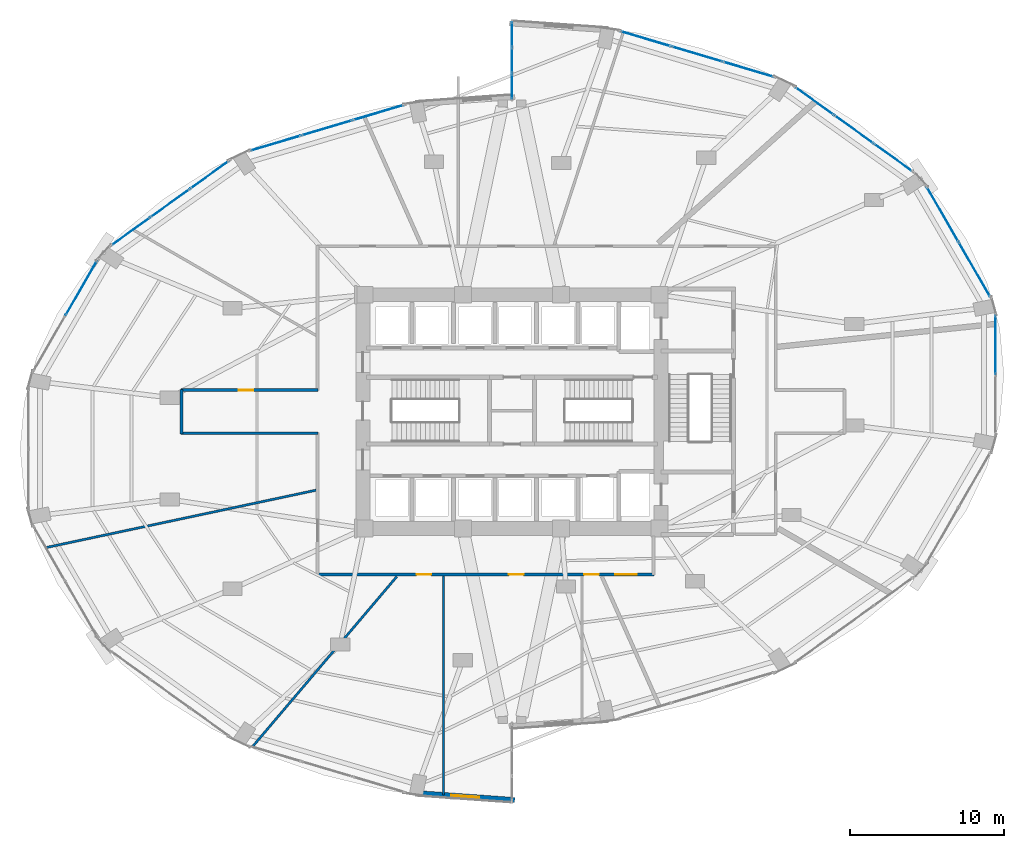
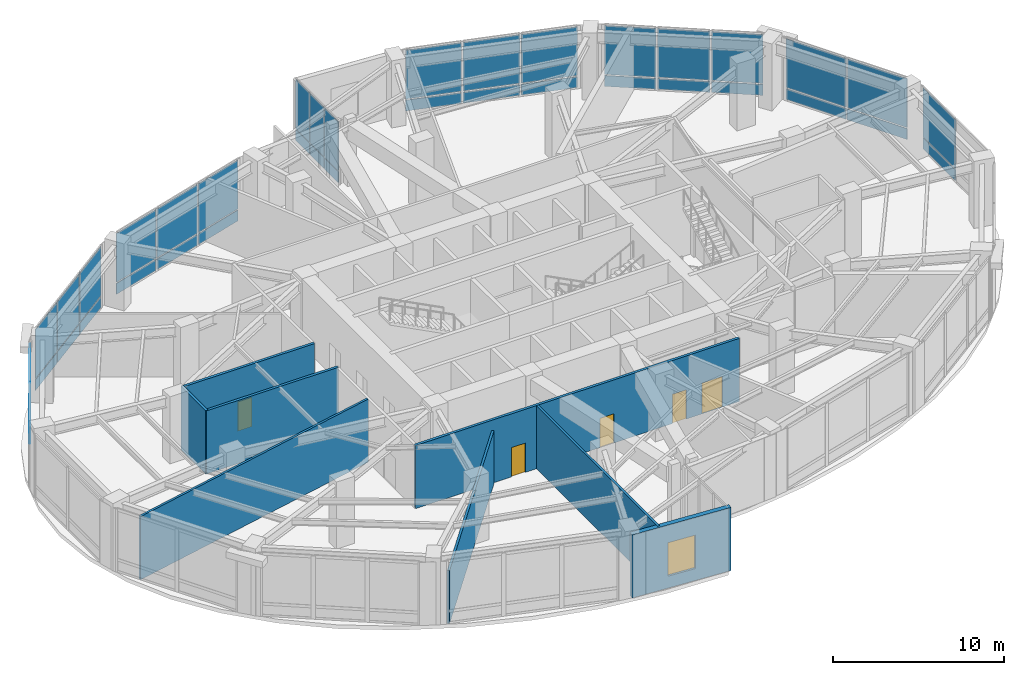
# One storey, part 20 of 24: 38 plates, 8 walls, 5 doors, 1 window, 6 openings, 8 elements without a shape of their own.
"""IFC4 building model written with IfcOpenShell, lengths in metres."""

import ifcopenshell
import ifcopenshell.guid

model = None  # the IFC model being written
_history = None  # IfcOwnerHistory: only IFC2X3 demands one
_inside = {}  # id of a spatial element -> (the spatial element, [elements in it])
_under = {}  # id of a project, library or spatial element -> (it, [spatial elements below it])
_declared = {}  # id of a project -> (the project, [libraries it declares])
_typed = {}  # id of a type object -> (the type object, [elements of that type])
_made_of = {}  # id of a material, layer set ... -> (it, [elements and type objects made of it])


def new_model(schema):
    """Start an empty IFC model of exactly this schema.

    Asked for "IFC4X3", IfcOpenShell would pick the latest addendum, in which some entities
    have other attributes; the version numbers below select the first issue.
    IFC2X3 requires an IfcOwnerHistory on every rooted entity: one is made here for all.
    """
    global model, _history
    if schema == "IFC4X3":
        model = ifcopenshell.file(schema_version=(4, 3, 0, 0))
    else:
        model = ifcopenshell.file(schema=schema)
    _inside.clear()
    _under.clear()
    _declared.clear()
    _typed.clear()
    _made_of.clear()
    _history = None
    if model.schema == "IFC2X3":
        org = make("IfcOrganization", Name="unknown")
        user = make(
            "IfcPersonAndOrganization",
            ThePerson=make("IfcPerson", FamilyName="unknown"),
            TheOrganization=org,
        )
        app = make(
            "IfcApplication",
            ApplicationDeveloper=org,
            Version="unknown",
            ApplicationFullName="unknown",
            ApplicationIdentifier="unknown",
        )
        _history = make(
            "IfcOwnerHistory",
            OwningUser=user,
            OwningApplication=app,
            ChangeAction="ADDED",
            CreationDate=0,
        )
    return model


def make(cls, **values):
    """One entity of the class cls with the attributes given. An attribute that is None is left unset."""
    return model.create_entity(
        cls, **{name: value for name, value in values.items() if value is not None}
    )


def rooted(cls, **values):
    """An entity with a GlobalId (a new one), such as an element, a storey or a relation."""
    return make(cls, GlobalId=ifcopenshell.guid.new(), OwnerHistory=_history, **values)


def si_unit(unit_type, name, prefix=None):
    """IfcSIUnit, for example si_unit("LENGTHUNIT", "METRE", prefix="MILLI")."""
    return make("IfcSIUnit", UnitType=unit_type, Prefix=prefix, Name=name)


def assignment(units):
    """IfcUnitAssignment: the units of a project."""
    return None if units is None else make("IfcUnitAssignment", Units=units)


def point(xyz):
    """IfcCartesianPoint."""
    return None if xyz is None else make("IfcCartesianPoint", Coordinates=xyz)


def direction(xyz):
    """IfcDirection."""
    return None if xyz is None else make("IfcDirection", DirectionRatios=xyz)


def frame(location, z_axis=None, x_axis=None):
    """IfcAxis2Placement3D, a coordinate frame: its origin and axes. An axis left out is left unset."""
    return make(
        "IfcAxis2Placement3D",
        Location=point(location),
        Axis=direction(z_axis),
        RefDirection=direction(x_axis),
    )


def frame_2d(location, x_axis=None):
    """IfcAxis2Placement2D, a coordinate frame in the plane: its origin and x axis."""
    return make(
        "IfcAxis2Placement2D", Location=point(location), RefDirection=direction(x_axis)
    )


def origin():
    """The frame at (0, 0, 0) with its axes left unset."""
    return frame((0.0, 0.0, 0.0))


def origin_2d():
    """The frame at (0, 0) in the plane with its x axis left unset."""
    return frame_2d((0.0, 0.0))


def place(relative_to, where):
    """IfcLocalPlacement: puts the frame where relative to a parent placement (None: the world)."""
    return make(
        "IfcLocalPlacement", PlacementRelTo=relative_to, RelativePlacement=where
    )


def context(
    kind, dimensions, precision=None, world=None, true_north=None, identifier=None
):
    """IfcGeometricRepresentationContext, for example the 3D "Model" context."""
    return make(
        "IfcGeometricRepresentationContext",
        ContextIdentifier=identifier,
        ContextType=kind,
        CoordinateSpaceDimension=dimensions,
        Precision=precision,
        WorldCoordinateSystem=world,
        TrueNorth=true_north,
    )


def subcontext(parent, identifier, kind, view, scale=None):
    """IfcGeometricRepresentationSubContext, for example "Body" below "Model"."""
    return make(
        "IfcGeometricRepresentationSubContext",
        ContextIdentifier=identifier,
        ContextType=kind,
        ParentContext=parent,
        TargetScale=scale,
        TargetView=view,
    )


def project(units=None, contexts=None):
    """IfcProject with its units and contexts."""
    return rooted(
        "IfcProject",
        Name="project",
        RepresentationContexts=contexts,
        UnitsInContext=assignment(units),
    )


def spatial(cls, under=None, at=None, **own):
    """A site, building, storey or space (cls), placed at a placement, below another one or the project."""
    s = rooted(cls, ObjectPlacement=at, **own)
    if under is not None:
        _under.setdefault(under.id(), (under, []))[1].append(s)
    return s


def profile(cls, at=None, kind="AREA", **sizes):
    """A parametric profile (cls). Its sizes go by their IFC names, for example OverallWidth=200.0."""
    return make(cls, ProfileType=kind, Position=at, **sizes)


def rectangle(**sizes):
    """IfcRectangleProfileDef."""
    return profile("IfcRectangleProfileDef", **sizes)


def extrude(swept, where, along, depth):
    """IfcExtrudedAreaSolid: the profile swept, set in the frame where, extruded along a direction by depth."""
    return make(
        "IfcExtrudedAreaSolid",
        SweptArea=swept,
        Position=where,
        ExtrudedDirection=direction(along),
        Depth=depth,
    )


def shape(context_of_items, identifier, shape_type, items):
    """IfcShapeRepresentation: the items that make up one representation, for example the "Body"."""
    return make(
        "IfcShapeRepresentation",
        ContextOfItems=context_of_items,
        RepresentationIdentifier=identifier,
        RepresentationType=shape_type,
        Items=items,
    )


def material(Name=None, Category=None):
    """IfcMaterial."""
    return make("IfcMaterial", Name=Name, Category=Category)


def layer(
    of_material, thickness, ventilated=None, Name=None, Category=None, Priority=None
):
    """IfcMaterialLayer: one layer of a wall or slab, of a material (None: an air gap)."""
    return make(
        "IfcMaterialLayer",
        Material=of_material,
        LayerThickness=thickness,
        IsVentilated=ventilated,
        Name=Name,
        Category=Category,
        Priority=Priority,
    )


def layer_set(layers, Name=None):
    """IfcMaterialLayerSet."""
    return make("IfcMaterialLayerSet", MaterialLayers=layers, LayerSetName=Name)


def made_of(thing, what):
    """Note that an element or type object is made of a material, layer set ...; save() writes the relation."""
    if what is not None:
        _made_of.setdefault(what.id(), (what, []))[1].append(thing)
    return thing


def type_object(cls, material=None, **own):
    """A type object (cls), such as IfcWallType, which elements share."""
    return made_of(rooted(cls, **own), material)


def element(
    cls,
    number,
    at=None,
    inside=None,
    cuts=None,
    type_object=None,
    material=None,
    context=None,
    identifier="Body",
    shape_type=None,
    held_by="IfcProductDefinitionShape",
    body=None,
    shapes=None,
    **own,
):
    """One element of the class cls, such as IfcWall. Its Tag is "e" and its number.

    at: its placement. inside: the storey or other place that contains it. cuts: it is an
    opening in that element (IfcRelVoidsElement). A single representation is given by context,
    identifier, shape_type and body (its items); several are given by shapes. held_by: the class
    of the entity that holds the representations. save() writes the other relations.
    """
    e = rooted(cls, Tag="e%d" % number, ObjectPlacement=at, **own)
    if body is not None:
        shapes = [shape(context, identifier, shape_type, body)]
    if shapes is not None:
        e.Representation = make(held_by, Representations=shapes)
    if inside is not None:
        _inside.setdefault(inside.id(), (inside, []))[1].append(e)
    if cuts is not None:
        rooted(
            "IfcRelVoidsElement", RelatingBuildingElement=cuts, RelatedOpeningElement=e
        )
    if type_object is not None:
        _typed.setdefault(type_object.id(), (type_object, []))[1].append(e)
    return made_of(e, material)


def fill(opening, filler):
    """IfcRelFillsElement: the door or window that sits in an opening."""
    return rooted(
        "IfcRelFillsElement",
        RelatingOpeningElement=opening,
        RelatedBuildingElement=filler,
    )


def aggregate(whole, parts):
    """IfcRelAggregates: a whole, such as a stair, and the parts it consists of."""
    return rooted("IfcRelAggregates", RelatingObject=whole, RelatedObjects=parts)


def save(model, path):
    """Write the relations noted so far, then the file.

    IfcRelAggregates (storeys below a building ...), IfcRelContainedInSpatialStructure (elements
    in a storey), IfcRelDefinesByType, IfcRelAssociatesMaterial and IfcRelDeclares: one each for
    every whole, place, type object, material and project.
    """
    for whole, parts in _under.values():
        aggregate(whole, parts)
    for where, things in _inside.values():
        rooted(
            "IfcRelContainedInSpatialStructure",
            RelatedElements=things,
            RelatingStructure=where,
        )
    for kind, things in _typed.values():
        rooted("IfcRelDefinesByType", RelatedObjects=things, RelatingType=kind)
    for what, things in _made_of.values():
        rooted("IfcRelAssociatesMaterial", RelatedObjects=things, RelatingMaterial=what)
    for by, libraries in _declared.values():
        rooted("IfcRelDeclares", RelatingContext=by, RelatedDefinitions=libraries)
    model.write(path)


model = new_model("IFC4")

# Units and contexts
model_context = context("Model", 3, precision=1e-05, world=origin(), true_north=direction((0.0, 1.0)))
body_context = subcontext(model_context, "Body", "Model", "MODEL_VIEW")
ifc_project = project(units=[si_unit("LENGTHUNIT", "METRE"), si_unit("AREAUNIT", "SQUARE_METRE"), si_unit("VOLUMEUNIT", "CUBIC_METRE"), si_unit("PLANEANGLEUNIT", "RADIAN"), si_unit("MASSUNIT", "GRAM", prefix="KILO")], contexts=[model_context])

# Site, building, storey
site_placement = place(None, origin())
site = spatial("IfcSite", under=ifc_project, at=site_placement, CompositionType="ELEMENT")
building_placement = place(site_placement, origin())
building = spatial("IfcBuilding", under=site, at=building_placement, Name="Lazwardi Medical Tower", CompositionType="ELEMENT")
storey_placement = place(building_placement, frame((0.0, 0.0, 6.0)))
storey = spatial("IfcBuildingStorey", under=building, at=storey_placement, Name="L01", CompositionType="ELEMENT", Elevation=6.0)

# Curtain wall, plate
ifc_material_1 = material(Name="Anodised bronze aluminium and solar control glazing", Category="aluminium")
ifc_layer_1 = layer(ifc_material_1, 0.219970703125)
ifc_layer_set_1 = layer_set([ifc_layer_1], Name="Anodised bronze aluminium and solar control glazing")
curtain_wall_type_1 = type_object("IfcCurtainWallType", Name="CW-SYS-01", PredefinedType="NOTDEFINED", material=ifc_layer_set_1)
curtain_wall_1_placement = place(storey_placement, origin())
curtain_wall_1 = element("IfcCurtainWall", 1, at=curtain_wall_1_placement, inside=storey, type_object=curtain_wall_type_1, Name="L01 Unitised bronze curtain wall CW-01", PredefinedType="NOTDEFINED")
ifc_material_2 = material(Name="Bronze girih ceramic-frit spandrel glazing", Category="glass")
ifc_layer_2 = layer(ifc_material_2, 0.048095703125)
ifc_layer_set_2 = layer_set([ifc_layer_2], Name="Bronze girih ceramic-frit spandrel glazing")
plate_type_1 = type_object("IfcPlateType", Name="PLT-FRT-01", PredefinedType="CURTAIN_PANEL", material=ifc_layer_set_2)
plate_1_placement = place(storey_placement, frame((67.439697265625, 32.33837890625, 0.0849609375), z_axis=(0.0, 0.0, 1.0), x_axis=(0.0, 1.0, 0.0)))
plate_1 = element("IfcPlate", 2, at=plate_1_placement, type_object=plate_type_1, Name="CW-01 panel 2.1", PredefinedType="CURTAIN_PANEL", context=body_context, shape_type="SweptSolid", body=[
    extrude(rectangle(XDim=3.791748046875, YDim=0.048095703125, at=origin_2d()), origin(), (0.0, 0.0, 1.0), 0.7724609375),
])

# Curtain wall, plates
curtain_wall_2_placement = place(storey_placement, origin())
curtain_wall_2 = element("IfcCurtainWall", 3, at=curtain_wall_2_placement, inside=storey, type_object=curtain_wall_type_1, Name="L01 Unitised bronze curtain wall CW-01", PredefinedType="NOTDEFINED")
plate_2_placement = place(storey_placement, frame((66.080322265625, 37.24609375, 0.0849609375), z_axis=(0.0, 0.0, 1.0), x_axis=(-0.499731082384, 0.866180607783, 0.0)))
plate_2 = element("IfcPlate", 4, at=plate_2_placement, type_object=plate_type_1, Name="CW-01 panel 1.1", PredefinedType="CURTAIN_PANEL", context=body_context, shape_type="SweptSolid", body=[
    extrude(rectangle(XDim=4.052734375, YDim=0.048095703125, at=origin_2d()), origin(), (0.0, 0.0, 1.0), 0.7724609375),
])
plate_3_placement = place(storey_placement, frame((64.012451171875, 40.830078125, 0.0849609375), z_axis=(0.0, 0.0, 1.0), x_axis=(-0.499731082384, 0.866180607783, 0.0)))
plate_3 = element("IfcPlate", 5, at=plate_3_placement, type_object=plate_type_1, Name="CW-01 panel 2.1", PredefinedType="CURTAIN_PANEL", context=body_context, shape_type="SweptSolid", body=[
    extrude(rectangle(XDim=4.052734375, YDim=0.048095703125, at=origin_2d()), origin(), (0.0, 0.0, 1.0), 0.7724609375),
])

curtain_wall_3_placement = place(storey_placement, origin())
curtain_wall_3 = element("IfcCurtainWall", 6, at=curtain_wall_3_placement, inside=storey, type_object=curtain_wall_type_1, Name="L01 Unitised bronze curtain wall CW-01", PredefinedType="NOTDEFINED")
plate_4_placement = place(storey_placement, frame((60.787109375, 44.52587890625, 0.0849609375), z_axis=(0.0, 0.0, 1.0), x_axis=(-0.812318365083, 0.583214260584, 0.0)))
plate_4 = element("IfcPlate", 7, at=plate_4_placement, type_object=plate_type_1, Name="CW-01 panel 1.1", PredefinedType="CURTAIN_PANEL", context=body_context, shape_type="SweptSolid", body=[
    extrude(rectangle(XDim=3.040283203125, YDim=0.048095703125, at=origin_2d()), origin(), (0.0, 0.0, 1.0), 0.7724609375),
])
plate_5_placement = place(storey_placement, frame((58.231201171875, 46.361083984375, 0.0849609375), z_axis=(0.0, 0.0, 1.0), x_axis=(-0.812318365083, 0.583214260584, 0.0)))
plate_5 = element("IfcPlate", 8, at=plate_5_placement, type_object=plate_type_1, Name="CW-01 panel 2.1", PredefinedType="CURTAIN_PANEL", context=body_context, shape_type="SweptSolid", body=[
    extrude(rectangle(XDim=3.082763671875, YDim=0.048095703125, at=origin_2d()), origin(), (0.0, 0.0, 1.0), 0.7724609375),
])
plate_6_placement = place(storey_placement, frame((55.675048828125, 48.196044921875, 0.0849609375), z_axis=(0.0, 0.0, 1.0), x_axis=(-0.812318365083, 0.583214260584, 0.0)))
plate_6 = element("IfcPlate", 9, at=plate_6_placement, type_object=plate_type_1, Name="CW-01 panel 3.1", PredefinedType="CURTAIN_PANEL", context=body_context, shape_type="SweptSolid", body=[
    extrude(rectangle(XDim=3.040283203125, YDim=0.048095703125, at=origin_2d()), origin(), (0.0, 0.0, 1.0), 0.7724609375),
])

curtain_wall_4_placement = place(storey_placement, origin())
curtain_wall_4 = element("IfcCurtainWall", 10, at=curtain_wall_4_placement, inside=storey, type_object=curtain_wall_type_1, Name="L01 Unitised bronze curtain wall CW-01", PredefinedType="NOTDEFINED")
plate_7_placement = place(storey_placement, frame((51.373291015625, 50.26025390625, 0.0849609375), z_axis=(0.0, 0.0, 1.0), x_axis=(-0.958513482597, 0.285047195531, 0.0)))
plate_7 = element("IfcPlate", 11, at=plate_7_placement, type_object=plate_type_1, Name="CW-01 panel 1.1", PredefinedType="CURTAIN_PANEL", context=body_context, shape_type="SweptSolid", body=[
    extrude(rectangle(XDim=3.380126953125, YDim=0.048095703125, at=origin_2d()), origin(), (0.0, 0.0, 1.0), 0.7724609375),
])
plate_8_placement = place(storey_placement, frame((48.031494140625, 51.254150390625, 0.0849609375), z_axis=(0.0, 0.0, 1.0), x_axis=(-0.958513482597, 0.285047195531, 0.0)))
plate_8 = element("IfcPlate", 12, at=plate_8_placement, type_object=plate_type_1, Name="CW-01 panel 2.1", PredefinedType="CURTAIN_PANEL", context=body_context, shape_type="SweptSolid", body=[
    extrude(rectangle(XDim=3.422607421875, YDim=0.048095703125, at=origin_2d()), origin(), (0.0, 0.0, 1.0), 0.7724609375),
])
plate_9_placement = place(storey_placement, frame((44.689453125, 52.247802734375, 0.0849609375), z_axis=(0.0, 0.0, 1.0), x_axis=(-0.958513482597, 0.285047195531, 0.0)))
plate_9 = element("IfcPlate", 13, at=plate_9_placement, type_object=plate_type_1, Name="CW-01 panel 3.1", PredefinedType="CURTAIN_PANEL", context=body_context, shape_type="SweptSolid", body=[
    extrude(rectangle(XDim=3.380126953125, YDim=0.048095703125, at=origin_2d()), origin(), (0.0, 0.0, 1.0), 0.7724609375),
])

curtain_wall_5_placement = place(storey_placement, origin())
curtain_wall_5 = element("IfcCurtainWall", 14, at=curtain_wall_5_placement, inside=storey, type_object=curtain_wall_type_1, Name="L01 Unitised bronze curtain wall CW-01", PredefinedType="NOTDEFINED")
plate_10_placement = place(storey_placement, frame((27.310546875, 47.447998046875, 0.0849609375), z_axis=(0.0, 0.0, 1.0), x_axis=(-0.958513482597, -0.285047195531, 0.0)))
plate_10 = element("IfcPlate", 15, at=plate_10_placement, type_object=plate_type_1, Name="CW-01 panel 1.1", PredefinedType="CURTAIN_PANEL", context=body_context, shape_type="SweptSolid", body=[
    extrude(rectangle(XDim=3.380126953125, YDim=0.048095703125, at=origin_2d()), origin(), (0.0, 0.0, 1.0), 0.7724609375),
])
plate_11_placement = place(storey_placement, frame((23.968505859375, 46.4541015625, 0.0849609375), z_axis=(0.0, 0.0, 1.0), x_axis=(-0.958513482597, -0.285047195531, 0.0)))
plate_11 = element("IfcPlate", 16, at=plate_11_placement, type_object=plate_type_1, Name="CW-01 panel 2.1", PredefinedType="CURTAIN_PANEL", context=body_context, shape_type="SweptSolid", body=[
    extrude(rectangle(XDim=3.422607421875, YDim=0.048095703125, at=origin_2d()), origin(), (0.0, 0.0, 1.0), 0.7724609375),
])
plate_12_placement = place(storey_placement, frame((20.626708984375, 45.460205078125, 0.0849609375), z_axis=(0.0, 0.0, 1.0), x_axis=(-0.958513482597, -0.285047195531, 0.0)))
plate_12 = element("IfcPlate", 17, at=plate_12_placement, type_object=plate_type_1, Name="CW-01 panel 3.1", PredefinedType="CURTAIN_PANEL", context=body_context, shape_type="SweptSolid", body=[
    extrude(rectangle(XDim=3.380126953125, YDim=0.048095703125, at=origin_2d()), origin(), (0.0, 0.0, 1.0), 0.7724609375),
])

curtain_wall_6_placement = place(storey_placement, origin())
curtain_wall_6 = element("IfcCurtainWall", 18, at=curtain_wall_6_placement, inside=storey, type_object=curtain_wall_type_1, Name="L01 Unitised bronze curtain wall CW-01", PredefinedType="NOTDEFINED")
plate_13_placement = place(storey_placement, frame((16.324951171875, 43.396240234375, 0.0849609375), z_axis=(0.0, 0.0, 1.0), x_axis=(-0.812318365083, -0.583214260584, 0.0)))
plate_13 = element("IfcPlate", 19, at=plate_13_placement, type_object=plate_type_1, Name="CW-01 panel 1.1", PredefinedType="CURTAIN_PANEL", context=body_context, shape_type="SweptSolid", body=[
    extrude(rectangle(XDim=3.040283203125, YDim=0.048095703125, at=origin_2d()), origin(), (0.0, 0.0, 1.0), 0.7724609375),
])
plate_14_placement = place(storey_placement, frame((13.768798828125, 41.56103515625, 0.0849609375), z_axis=(0.0, 0.0, 1.0), x_axis=(-0.812318365083, -0.583214260584, 0.0)))
plate_14 = element("IfcPlate", 20, at=plate_14_placement, type_object=plate_type_1, Name="CW-01 panel 2.1", PredefinedType="CURTAIN_PANEL", context=body_context, shape_type="SweptSolid", body=[
    extrude(rectangle(XDim=3.082763671875, YDim=0.048095703125, at=origin_2d()), origin(), (0.0, 0.0, 1.0), 0.7724609375),
])
plate_15_placement = place(storey_placement, frame((11.212890625, 39.725830078125, 0.0849609375), z_axis=(0.0, 0.0, 1.0), x_axis=(-0.812318365083, -0.583214260584, 0.0)))
plate_15 = element("IfcPlate", 21, at=plate_15_placement, type_object=plate_type_1, Name="CW-01 panel 3.1", PredefinedType="CURTAIN_PANEL", context=body_context, shape_type="SweptSolid", body=[
    extrude(rectangle(XDim=3.040283203125, YDim=0.048095703125, at=origin_2d()), origin(), (0.0, 0.0, 1.0), 0.7724609375),
])

# Curtain wall, plate
curtain_wall_7_placement = place(storey_placement, origin())
curtain_wall_7 = element("IfcCurtainWall", 22, at=curtain_wall_7_placement, inside=storey, type_object=curtain_wall_type_1, Name="L01 Unitised bronze curtain wall CW-01", PredefinedType="NOTDEFINED")
plate_16_placement = place(storey_placement, frame((7.987548828125, 36.030029296875, 0.0849609375), z_axis=(0.0, 0.0, 1.0), x_axis=(-0.499731082384, -0.866180607783, 0.0)))
plate_16 = element("IfcPlate", 23, at=plate_16_placement, type_object=plate_type_1, Name="CW-01 panel 1.1", PredefinedType="CURTAIN_PANEL", context=body_context, shape_type="SweptSolid", body=[
    extrude(rectangle(XDim=4.052734375, YDim=0.048095703125, at=origin_2d()), origin(), (0.0, 0.0, 1.0), 0.7724609375),
])

# Plate
ifc_material_3 = material(Name="Laminated acoustic bronze double glazing", Category="glass")
ifc_layer_3 = layer(ifc_material_3, 0.0419921875)
ifc_layer_set_3 = layer_set([ifc_layer_3], Name="Laminated acoustic bronze double glazing")
plate_type_2 = type_object("IfcPlateType", Name="PLT-GLZ-02", PredefinedType="CURTAIN_PANEL", material=ifc_layer_set_3)
plate_17_placement = place(storey_placement, frame((67.439697265625, 32.33837890625, 0.9423828125), z_axis=(0.0, 0.0, 1.0), x_axis=(0.0, 1.0, 0.0)))
plate_17 = element("IfcPlate", 24, at=plate_17_placement, type_object=plate_type_2, Name="CW-01 panel 2.2", PredefinedType="CURTAIN_PANEL", context=body_context, shape_type="SweptSolid", body=[
    extrude(rectangle(XDim=3.791748046875, YDim=0.0419921875, at=origin_2d()), origin(), (0.0, 0.0, 1.0), 3.492431640625),
])

aggregate(curtain_wall_1, [plate_1, plate_17])

plate_18_placement = place(storey_placement, frame((66.080322265625, 37.24609375, 0.9423828125), z_axis=(0.0, 0.0, 1.0), x_axis=(-0.499731082384, 0.866180607783, 0.0)))
plate_18 = element("IfcPlate", 25, at=plate_18_placement, type_object=plate_type_2, Name="CW-01 panel 1.2", PredefinedType="CURTAIN_PANEL", context=body_context, shape_type="SweptSolid", body=[
    extrude(rectangle(XDim=4.052734375, YDim=0.0419921875, at=origin_2d()), origin(), (0.0, 0.0, 1.0), 3.492431640625),
])

plate_19_placement = place(storey_placement, frame((64.012451171875, 40.830078125, 0.9423828125), z_axis=(0.0, 0.0, 1.0), x_axis=(-0.499731082384, 0.866180607783, 0.0)))
plate_19 = element("IfcPlate", 26, at=plate_19_placement, type_object=plate_type_2, Name="CW-01 panel 2.2", PredefinedType="CURTAIN_PANEL", context=body_context, shape_type="SweptSolid", body=[
    extrude(rectangle(XDim=4.052734375, YDim=0.0419921875, at=origin_2d()), origin(), (0.0, 0.0, 1.0), 3.492431640625),
])

aggregate(curtain_wall_2, [plate_2, plate_18, plate_3, plate_19])

plate_20_placement = place(storey_placement, frame((60.787109375, 44.52587890625, 0.9423828125), z_axis=(0.0, 0.0, 1.0), x_axis=(-0.812318365083, 0.583214260584, 0.0)))
plate_20 = element("IfcPlate", 27, at=plate_20_placement, type_object=plate_type_2, Name="CW-01 panel 1.2", PredefinedType="CURTAIN_PANEL", context=body_context, shape_type="SweptSolid", body=[
    extrude(rectangle(XDim=3.040283203125, YDim=0.0419921875, at=origin_2d()), origin(), (0.0, 0.0, 1.0), 3.492431640625),
])

plate_21_placement = place(storey_placement, frame((58.231201171875, 46.361083984375, 0.9423828125), z_axis=(0.0, 0.0, 1.0), x_axis=(-0.812318365083, 0.583214260584, 0.0)))
plate_21 = element("IfcPlate", 28, at=plate_21_placement, type_object=plate_type_2, Name="CW-01 panel 2.2", PredefinedType="CURTAIN_PANEL", context=body_context, shape_type="SweptSolid", body=[
    extrude(rectangle(XDim=3.082763671875, YDim=0.0419921875, at=origin_2d()), origin(), (0.0, 0.0, 1.0), 3.492431640625),
])

plate_22_placement = place(storey_placement, frame((55.675048828125, 48.196044921875, 0.9423828125), z_axis=(0.0, 0.0, 1.0), x_axis=(-0.812318365083, 0.583214260584, 0.0)))
plate_22 = element("IfcPlate", 29, at=plate_22_placement, type_object=plate_type_2, Name="CW-01 panel 3.2", PredefinedType="CURTAIN_PANEL", context=body_context, shape_type="SweptSolid", body=[
    extrude(rectangle(XDim=3.040283203125, YDim=0.0419921875, at=origin_2d()), origin(), (0.0, 0.0, 1.0), 3.492431640625),
])

aggregate(curtain_wall_3, [plate_4, plate_20, plate_5, plate_21, plate_6, plate_22])

plate_23_placement = place(storey_placement, frame((51.373291015625, 50.26025390625, 0.9423828125), z_axis=(0.0, 0.0, 1.0), x_axis=(-0.958513482597, 0.285047195531, 0.0)))
plate_23 = element("IfcPlate", 30, at=plate_23_placement, type_object=plate_type_2, Name="CW-01 panel 1.2", PredefinedType="CURTAIN_PANEL", context=body_context, shape_type="SweptSolid", body=[
    extrude(rectangle(XDim=3.380126953125, YDim=0.0419921875, at=origin_2d()), origin(), (0.0, 0.0, 1.0), 3.492431640625),
])

plate_24_placement = place(storey_placement, frame((48.031494140625, 51.254150390625, 0.9423828125), z_axis=(0.0, 0.0, 1.0), x_axis=(-0.958513482597, 0.285047195531, 0.0)))
plate_24 = element("IfcPlate", 31, at=plate_24_placement, type_object=plate_type_2, Name="CW-01 panel 2.2", PredefinedType="CURTAIN_PANEL", context=body_context, shape_type="SweptSolid", body=[
    extrude(rectangle(XDim=3.422607421875, YDim=0.0419921875, at=origin_2d()), origin(), (0.0, 0.0, 1.0), 3.492431640625),
])

plate_25_placement = place(storey_placement, frame((44.689453125, 52.247802734375, 0.9423828125), z_axis=(0.0, 0.0, 1.0), x_axis=(-0.958513482597, 0.285047195531, 0.0)))
plate_25 = element("IfcPlate", 32, at=plate_25_placement, type_object=plate_type_2, Name="CW-01 panel 3.2", PredefinedType="CURTAIN_PANEL", context=body_context, shape_type="SweptSolid", body=[
    extrude(rectangle(XDim=3.380126953125, YDim=0.0419921875, at=origin_2d()), origin(), (0.0, 0.0, 1.0), 3.492431640625),
])

aggregate(curtain_wall_4, [plate_7, plate_23, plate_8, plate_24, plate_9, plate_25])

plate_26_placement = place(storey_placement, frame((27.310546875, 47.447998046875, 0.9423828125), z_axis=(0.0, 0.0, 1.0), x_axis=(-0.958513482597, -0.285047195531, 0.0)))
plate_26 = element("IfcPlate", 33, at=plate_26_placement, type_object=plate_type_2, Name="CW-01 panel 1.2", PredefinedType="CURTAIN_PANEL", context=body_context, shape_type="SweptSolid", body=[
    extrude(rectangle(XDim=3.380126953125, YDim=0.0419921875, at=origin_2d()), origin(), (0.0, 0.0, 1.0), 3.492431640625),
])

plate_27_placement = place(storey_placement, frame((23.968505859375, 46.4541015625, 0.9423828125), z_axis=(0.0, 0.0, 1.0), x_axis=(-0.958513482597, -0.285047195531, 0.0)))
plate_27 = element("IfcPlate", 34, at=plate_27_placement, type_object=plate_type_2, Name="CW-01 panel 2.2", PredefinedType="CURTAIN_PANEL", context=body_context, shape_type="SweptSolid", body=[
    extrude(rectangle(XDim=3.422607421875, YDim=0.0419921875, at=origin_2d()), origin(), (0.0, 0.0, 1.0), 3.492431640625),
])

plate_28_placement = place(storey_placement, frame((20.626708984375, 45.460205078125, 0.9423828125), z_axis=(0.0, 0.0, 1.0), x_axis=(-0.958513482597, -0.285047195531, 0.0)))
plate_28 = element("IfcPlate", 35, at=plate_28_placement, type_object=plate_type_2, Name="CW-01 panel 3.2", PredefinedType="CURTAIN_PANEL", context=body_context, shape_type="SweptSolid", body=[
    extrude(rectangle(XDim=3.380126953125, YDim=0.0419921875, at=origin_2d()), origin(), (0.0, 0.0, 1.0), 3.492431640625),
])

aggregate(curtain_wall_5, [plate_10, plate_26, plate_11, plate_27, plate_12, plate_28])

plate_29_placement = place(storey_placement, frame((16.324951171875, 43.396240234375, 0.9423828125), z_axis=(0.0, 0.0, 1.0), x_axis=(-0.812318365083, -0.583214260584, 0.0)))
plate_29 = element("IfcPlate", 36, at=plate_29_placement, type_object=plate_type_2, Name="CW-01 panel 1.2", PredefinedType="CURTAIN_PANEL", context=body_context, shape_type="SweptSolid", body=[
    extrude(rectangle(XDim=3.040283203125, YDim=0.0419921875, at=origin_2d()), origin(), (0.0, 0.0, 1.0), 3.492431640625),
])

plate_30_placement = place(storey_placement, frame((13.768798828125, 41.56103515625, 0.9423828125), z_axis=(0.0, 0.0, 1.0), x_axis=(-0.812318365083, -0.583214260584, 0.0)))
plate_30 = element("IfcPlate", 37, at=plate_30_placement, type_object=plate_type_2, Name="CW-01 panel 2.2", PredefinedType="CURTAIN_PANEL", context=body_context, shape_type="SweptSolid", body=[
    extrude(rectangle(XDim=3.082763671875, YDim=0.0419921875, at=origin_2d()), origin(), (0.0, 0.0, 1.0), 3.492431640625),
])

plate_31_placement = place(storey_placement, frame((11.212890625, 39.725830078125, 0.9423828125), z_axis=(0.0, 0.0, 1.0), x_axis=(-0.812318365083, -0.583214260584, 0.0)))
plate_31 = element("IfcPlate", 38, at=plate_31_placement, type_object=plate_type_2, Name="CW-01 panel 3.2", PredefinedType="CURTAIN_PANEL", context=body_context, shape_type="SweptSolid", body=[
    extrude(rectangle(XDim=3.040283203125, YDim=0.0419921875, at=origin_2d()), origin(), (0.0, 0.0, 1.0), 3.492431640625),
])

aggregate(curtain_wall_6, [plate_13, plate_29, plate_14, plate_30, plate_15, plate_31])

plate_32_placement = place(storey_placement, frame((7.987548828125, 36.030029296875, 0.9423828125), z_axis=(0.0, 0.0, 1.0), x_axis=(-0.499731082384, -0.866180607783, 0.0)))
plate_32 = element("IfcPlate", 39, at=plate_32_placement, type_object=plate_type_2, Name="CW-01 panel 1.2", PredefinedType="CURTAIN_PANEL", context=body_context, shape_type="SweptSolid", body=[
    extrude(rectangle(XDim=4.052734375, YDim=0.0419921875, at=origin_2d()), origin(), (0.0, 0.0, 1.0), 3.492431640625),
])

aggregate(curtain_wall_7, [plate_16, plate_32])

# Curtain wall, plates
ifc_layer_4 = layer(ifc_material_1, 0.2099609375)
ifc_layer_set_4 = layer_set([ifc_layer_4], Name="Anodised bronze aluminium and solar control glazing")
curtain_wall_type_2 = type_object("IfcCurtainWallType", Name="CW-SYS-06", PredefinedType="NOTDEFINED", material=ifc_layer_set_4)
curtain_wall_8_placement = place(storey_placement, origin())
curtain_wall_8 = element("IfcCurtainWall", 40, at=curtain_wall_8_placement, inside=storey, type_object=curtain_wall_type_2, Name="L01 Unitised bronze curtain wall CW-06", PredefinedType="NOTDEFINED")
ifc_material_4 = material(Name="Turquoise glazed ceramic insulated panel", Category="glass")
ifc_layer_5 = layer(ifc_material_4, 0.053955078125)
ifc_layer_set_5 = layer_set([ifc_layer_5], Name="Turquoise glazed ceramic insulated panel")
plate_type_3 = type_object("IfcPlateType", Name="PLT-TRQ-01", PredefinedType="CURTAIN_PANEL", material=ifc_layer_set_5)
plate_33_placement = place(storey_placement, frame((36.0, 52.52783203125, 0.074951171875), z_axis=(0.0, 0.0, 1.0), x_axis=(0.0, -1.0, 0.0)))
plate_33 = element("IfcPlate", 41, at=plate_33_placement, type_object=plate_type_3, Name="CW-06 panel 1.1", PredefinedType="CURTAIN_PANEL", context=body_context, shape_type="SweptSolid", body=[
    extrude(rectangle(XDim=1.59423828125, YDim=0.053955078125, at=origin_2d()), origin(), (0.0, 0.0, 1.0), 0.78759765625),
])
plate_34_placement = place(storey_placement, frame((36.0, 52.52783203125, 0.9375), z_axis=(0.0, 0.0, 1.0), x_axis=(0.0, -1.0, 0.0)))
plate_34 = element("IfcPlate", 42, at=plate_34_placement, type_object=plate_type_3, Name="CW-06 panel 1.2", PredefinedType="CURTAIN_PANEL", context=body_context, shape_type="SweptSolid", body=[
    extrude(rectangle(XDim=1.59423828125, YDim=0.053955078125, at=origin_2d()), origin(), (0.0, 0.0, 1.0), 3.507568359375),
])
plate_35_placement = place(storey_placement, frame((36.0, 50.840087890625, 0.074951171875), z_axis=(0.0, 0.0, 1.0), x_axis=(0.0, -1.0, 0.0)))
plate_35 = element("IfcPlate", 43, at=plate_35_placement, type_object=plate_type_3, Name="CW-06 panel 2.1", PredefinedType="CURTAIN_PANEL", context=body_context, shape_type="SweptSolid", body=[
    extrude(rectangle(XDim=1.631591796875, YDim=0.053955078125, at=origin_2d()), origin(), (0.0, 0.0, 1.0), 0.78759765625),
])
plate_36_placement = place(storey_placement, frame((36.0, 50.840087890625, 0.9375), z_axis=(0.0, 0.0, 1.0), x_axis=(0.0, -1.0, 0.0)))
plate_36 = element("IfcPlate", 44, at=plate_36_placement, type_object=plate_type_3, Name="CW-06 panel 2.2", PredefinedType="CURTAIN_PANEL", context=body_context, shape_type="SweptSolid", body=[
    extrude(rectangle(XDim=1.631591796875, YDim=0.053955078125, at=origin_2d()), origin(), (0.0, 0.0, 1.0), 3.507568359375),
])
plate_37_placement = place(storey_placement, frame((36.0, 49.152099609375, 0.074951171875), z_axis=(0.0, 0.0, 1.0), x_axis=(0.0, -1.0, 0.0)))
plate_37 = element("IfcPlate", 45, at=plate_37_placement, type_object=plate_type_3, Name="CW-06 panel 3.1", PredefinedType="CURTAIN_PANEL", context=body_context, shape_type="SweptSolid", body=[
    extrude(rectangle(XDim=1.59423828125, YDim=0.053955078125, at=origin_2d()), origin(), (0.0, 0.0, 1.0), 0.78759765625),
])
plate_38_placement = place(storey_placement, frame((36.0, 49.152099609375, 0.9375), z_axis=(0.0, 0.0, 1.0), x_axis=(0.0, -1.0, 0.0)))
plate_38 = element("IfcPlate", 46, at=plate_38_placement, type_object=plate_type_3, Name="CW-06 panel 3.2", PredefinedType="CURTAIN_PANEL", context=body_context, shape_type="SweptSolid", body=[
    extrude(rectangle(XDim=1.59423828125, YDim=0.053955078125, at=origin_2d()), origin(), (0.0, 0.0, 1.0), 3.507568359375),
])
aggregate(curtain_wall_8, [plate_33, plate_34, plate_35, plate_36, plate_37, plate_38])

# Wall
ifc_material_5 = material(Name="Fire-rated gypsum board on steel stud", Category="steel")
ifc_layer_6 = layer(ifc_material_5, 0.179931640625)
ifc_layer_set_6 = layer_set([ifc_layer_6], Name="Fire-rated gypsum board on steel stud")
wall_type_1 = type_object("IfcWallType", Name="WL-COR-180", PredefinedType="PARTITIONING", material=ifc_layer_set_6)
wall_1_placement = place(storey_placement, frame((14.5, 26.56005859375, 0.0), z_axis=(0.0, 0.0, 1.0), x_axis=(0.0, 1.0, 0.0)))
element("IfcWall", 47, at=wall_1_placement, inside=storey, type_object=wall_type_1, Name="L01 Corridor partition 1", PredefinedType="PARTITIONING", context=body_context, shape_type="SweptSolid", body=[
    extrude(rectangle(XDim=2.8798828125, YDim=0.179931640625, at=frame_2d((1.43994140625, 0.0))), origin(), (0.0, 0.0, 1.0), 4.52001953125),
])

# Wall, opening, door
wall_2_placement = place(storey_placement, frame((14.4599609375, 29.39990234375, 0.0), z_axis=(0.0, 0.0, 1.0), x_axis=(1.0, 0.0, 0.0)))
wall_2 = element("IfcWall", 48, at=wall_2_placement, inside=storey, type_object=wall_type_1, Name="L01 Corridor partition 2", PredefinedType="PARTITIONING", context=body_context, shape_type="SweptSolid", body=[
    extrude(rectangle(XDim=8.929931640625, YDim=0.179931640625, at=frame_2d((4.46484375, 0.0))), origin(), (0.0, 0.0, 1.0), 4.52001953125),
])
opening_1_placement = place(wall_2_placement, frame((3.764892578125, 0.0, 0.0)))
opening_1 = element("IfcOpeningElement", 49, at=opening_1_placement, cuts=wall_2, Name="Opening D-L01-018", PredefinedType="OPENING", context=body_context, shape_type="SweptSolid", body=[
    extrude(rectangle(XDim=0.949951171875, YDim=2.10009765625, at=frame_2d((0.47509765625, 1.050048828125))), frame((0.0, 0.099853515625, 0.0), z_axis=(0.0, -1.0, 0.0), x_axis=(1.0, 0.0, 0.0)), (0.0, 0.0, 1.0), 0.199951171875),
])
ifc_material_6 = material(Name="Moisture-resistant laminate door leaf")
door_type_1 = type_object("IfcDoorType", Name="DR-ENS-950", OperationType="NOTDEFINED", PredefinedType="DOOR", material=ifc_material_6)
door_1_placement = place(opening_1_placement, origin())
door_1 = element("IfcDoor", 50, at=door_1_placement, inside=storey, type_object=door_type_1, Name="L01 Diagnostic Imaging Suite Door 12", OperationType="SINGLE_SWING_LEFT", OverallHeight=2.10009765625, OverallWidth=0.949951171875, PredefinedType="DOOR", context=body_context, shape_type="SweptSolid", body=[
    extrude(rectangle(XDim=0.949951171875, YDim=2.10009765625, at=frame_2d((0.47509765625, 1.050048828125))), frame((0.0, 0.02490234375, 0.0), z_axis=(0.0, -1.0, 0.0), x_axis=(1.0, 0.0, 0.0)), (0.0, 0.0, 1.0), 0.050048828125),
])
fill(opening_1, door_1)

# Wall, openings, doors
wall_3_placement = place(storey_placement, frame((45.239990234375, 17.39990234375, 0.0), z_axis=(0.0, 0.0, 1.0), x_axis=(-1.0, 0.0, 0.0)))
wall_3 = element("IfcWall", 51, at=wall_3_placement, inside=storey, type_object=wall_type_1, Name="L01 Corridor partition 14", PredefinedType="PARTITIONING", context=body_context, shape_type="SweptSolid", body=[
    extrude(rectangle(XDim=21.929931640625, YDim=0.179931640625, at=frame_2d((10.96484375, 0.0))), origin(), (0.0, 0.0, 1.0), 4.52001953125),
])
opening_2_placement = place(wall_3_placement, frame((14.49609375, 0.0, 0.0)))
opening_2 = element("IfcOpeningElement", 52, at=opening_2_placement, cuts=wall_3, Name="Opening D-L01-008", PredefinedType="OPENING", context=body_context, shape_type="SweptSolid", body=[
    extrude(rectangle(XDim=0.949951171875, YDim=2.10009765625, at=frame_2d((0.47509765625, 1.050048828125))), frame((0.0, 0.099853515625, 0.0), z_axis=(0.0, -1.0, 0.0), x_axis=(1.0, 0.0, 0.0)), (0.0, 0.0, 1.0), 0.199951171875),
])
opening_3_placement = place(wall_3_placement, frame((8.489990234375, 0.0, 0.0)))
opening_3 = element("IfcOpeningElement", 53, at=opening_3_placement, cuts=wall_3, Name="Opening D-L01-009", PredefinedType="OPENING", context=body_context, shape_type="SweptSolid", body=[
    extrude(rectangle(XDim=0.949951171875, YDim=2.10009765625, at=frame_2d((0.47509765625, 1.050048828125))), frame((0.0, 0.099853515625, 0.0), z_axis=(0.0, -1.0, 0.0), x_axis=(1.0, 0.0, 0.0)), (0.0, 0.0, 1.0), 0.199951171875),
])
opening_4_placement = place(wall_3_placement, frame((3.597412109375, 0.0, 0.0)))
opening_4 = element("IfcOpeningElement", 54, at=opening_4_placement, cuts=wall_3, Name="Opening D-L01-010", PredefinedType="OPENING", context=body_context, shape_type="SweptSolid", body=[
    extrude(rectangle(XDim=0.949951171875, YDim=2.10009765625, at=frame_2d((0.47509765625, 1.050048828125))), frame((0.0, 0.099853515625, 0.0), z_axis=(0.0, -1.0, 0.0), x_axis=(1.0, 0.0, 0.0)), (0.0, 0.0, 1.0), 0.199951171875),
])
opening_5_placement = place(wall_3_placement, frame((1.140625, 0.0, 0.0)))
opening_5 = element("IfcOpeningElement", 55, at=opening_5_placement, cuts=wall_3, Name="Opening D-L01-011", PredefinedType="OPENING", context=body_context, shape_type="SweptSolid", body=[
    extrude(rectangle(XDim=1.39990234375, YDim=2.199951171875, at=frame_2d((0.699951171875, 1.10009765625))), frame((0.0, 0.099853515625, 0.0), z_axis=(0.0, -1.0, 0.0), x_axis=(1.0, 0.0, 0.0)), (0.0, 0.0, 1.0), 0.199951171875),
])
ifc_material_7 = material(Name="Anti-microbial laminate hospital leaf")
door_type_2 = type_object("IfcDoorType", Name="DR-BED-1400", OperationType="NOTDEFINED", PredefinedType="DOOR", material=ifc_material_7)
door_2_placement = place(opening_5_placement, origin())
door_2 = element("IfcDoor", 56, at=door_2_placement, inside=storey, type_object=door_type_2, Name="L01 Pharmacy Dispensary Door 05", OperationType="SINGLE_SWING_RIGHT", OverallHeight=2.199951171875, OverallWidth=1.39990234375, PredefinedType="DOOR", context=body_context, shape_type="SweptSolid", body=[
    extrude(rectangle(XDim=1.39990234375, YDim=2.199951171875, at=frame_2d((0.699951171875, 1.10009765625))), frame((0.0, 0.02490234375, 0.0), z_axis=(0.0, -1.0, 0.0), x_axis=(1.0, 0.0, 0.0)), (0.0, 0.0, 1.0), 0.050048828125),
])
fill(opening_5, door_2)
door_3_placement = place(opening_2_placement, origin())
door_3 = element("IfcDoor", 57, at=door_3_placement, inside=storey, type_object=door_type_1, Name="L01 Diagnostic Imaging Suite Door 02", OperationType="SINGLE_SWING_LEFT", OverallHeight=2.10009765625, OverallWidth=0.949951171875, PredefinedType="DOOR", context=body_context, shape_type="SweptSolid", body=[
    extrude(rectangle(XDim=0.949951171875, YDim=2.10009765625, at=frame_2d((0.47509765625, 1.050048828125))), frame((0.0, 0.02490234375, 0.0), z_axis=(0.0, -1.0, 0.0), x_axis=(1.0, 0.0, 0.0)), (0.0, 0.0, 1.0), 0.050048828125),
])
fill(opening_2, door_3)
door_4_placement = place(opening_3_placement, origin())
door_4 = element("IfcDoor", 58, at=door_4_placement, inside=storey, type_object=door_type_1, Name="L01 Diagnostic Imaging Suite Door 03", OperationType="SINGLE_SWING_RIGHT", OverallHeight=2.10009765625, OverallWidth=0.949951171875, PredefinedType="DOOR", context=body_context, shape_type="SweptSolid", body=[
    extrude(rectangle(XDim=0.949951171875, YDim=2.10009765625, at=frame_2d((0.47509765625, 1.050048828125))), frame((0.0, 0.02490234375, 0.0), z_axis=(0.0, -1.0, 0.0), x_axis=(1.0, 0.0, 0.0)), (0.0, 0.0, 1.0), 0.050048828125),
])
fill(opening_3, door_4)
door_5_placement = place(opening_4_placement, origin())
door_5 = element("IfcDoor", 59, at=door_5_placement, inside=storey, type_object=door_type_1, Name="L01 Clinical Laboratory Door 04", OperationType="SINGLE_SWING_LEFT", OverallHeight=2.10009765625, OverallWidth=0.949951171875, PredefinedType="DOOR", context=body_context, shape_type="SweptSolid", body=[
    extrude(rectangle(XDim=0.949951171875, YDim=2.10009765625, at=frame_2d((0.47509765625, 1.050048828125))), frame((0.0, 0.02490234375, 0.0), z_axis=(0.0, -1.0, 0.0), x_axis=(1.0, 0.0, 0.0)), (0.0, 0.0, 1.0), 0.050048828125),
])
fill(opening_4, door_5)

# Wall
wall_4_placement = place(storey_placement, frame((23.389892578125, 26.60009765625, 0.0), z_axis=(0.0, 0.0, 1.0), x_axis=(-1.0, 0.0, 0.0)))
element("IfcWall", 60, at=wall_4_placement, inside=storey, type_object=wall_type_1, Name="L01 Corridor partition 16", PredefinedType="PARTITIONING", context=body_context, shape_type="SweptSolid", body=[
    extrude(rectangle(XDim=8.929931640625, YDim=0.179931640625, at=frame_2d((4.46484375, 0.0))), origin(), (0.0, 0.0, 1.0), 4.52001953125),
])

# Wall, opening, window
ifc_material_8 = material(Name="Precast concrete C45/55", Category="concrete")
ifc_layer_7 = layer(ifc_material_8, 0.320068359375)
ifc_layer_set_7 = layer_set([ifc_layer_7], Name="Precast concrete C45/55")
wall_type_2 = type_object("IfcWallType", Name="WL-IWAN-320", PredefinedType="SOLIDWALL", material=ifc_layer_set_7)
wall_5_placement = place(storey_placement, frame((29.73828125, 3.202392578125, 0.0), z_axis=(0.0, 0.0, 1.0), x_axis=(0.997513108184, -0.070481196075, 0.0)))
wall_5 = element("IfcWall", 61, at=wall_5_placement, inside=storey, type_object=wall_type_2, Name="L01 Iwan Portal Return Wall SW_ret", PredefinedType="SOLIDWALL", context=body_context, shape_type="SweptSolid", body=[
    extrude(rectangle(XDim=6.456787109375, YDim=0.320068359375, at=frame_2d((3.228515625, 0.0))), origin(), (0.0, 0.0, 1.0), 4.52001953125),
])
opening_6_placement = place(wall_5_placement, frame((2.328369140625, 0.0, 0.85009765625)))
opening_6 = element("IfcOpeningElement", 62, at=opening_6_placement, cuts=wall_5, Name="Opening WN-03", PredefinedType="OPENING", context=body_context, shape_type="SweptSolid", body=[
    extrude(rectangle(XDim=1.800048828125, YDim=2.39990234375, at=frame_2d((0.89990234375, 1.199951171875))), frame((0.0, 0.169921875, 0.0), z_axis=(0.0, -1.0, 0.0), x_axis=(1.0, 0.0, 0.0)), (0.0, 0.0, 1.0), 0.340087890625),
])
window_type = type_object("IfcWindowType", Name="WIN-POD-1800", PartitioningType="SINGLE_PANEL", PredefinedType="WINDOW", material=ifc_material_3)
window_placement = place(opening_6_placement, origin())
window = element("IfcWindow", 63, at=window_placement, inside=storey, type_object=window_type, Name="L01 Iwan Slot Window SW_ret", OverallHeight=2.39990234375, OverallWidth=1.800048828125, PartitioningType="SINGLE_PANEL", PredefinedType="WINDOW", context=body_context, shape_type="SweptSolid", body=[
    extrude(rectangle(XDim=1.800048828125, YDim=2.39990234375, at=frame_2d((0.89990234375, 1.199951171875))), frame((0.0, 0.030029296875, 0.0), z_axis=(0.0, -1.0, 0.0), x_axis=(1.0, 0.0, 0.0)), (0.0, 0.0, 1.0), 0.06005859375),
])
fill(opening_6, window)

# Walls
ifc_material_9 = material(Name="Acoustic gypsum board partition")
ifc_layer_8 = layer(ifc_material_9, 0.14990234375)
ifc_layer_set_8 = layer_set([ifc_layer_8], Name="Acoustic gypsum board partition")
wall_type_3 = type_object("IfcWallType", Name="WL-WRD-150", PredefinedType="PARTITIONING", material=ifc_layer_set_8)
wall_6_placement = place(storey_placement, frame((23.2607421875, 22.89208984375, 0.0), z_axis=(0.0, 0.0, 1.0), x_axis=(-0.978149523722, -0.207902643662, 0.0)))
element("IfcWall", 64, at=wall_6_placement, inside=storey, type_object=wall_type_3, Name="L01 Room partition 8", PredefinedType="PARTITIONING", context=body_context, shape_type="SweptSolid", body=[
    extrude(rectangle(XDim=17.96337890625, YDim=0.14990234375, at=frame_2d((8.981689453125, 0.0))), origin(), (0.0, 0.0, 1.0), 4.52001953125),
])
wall_7_placement = place(storey_placement, frame((28.51318359375, 17.279296875, 0.0), z_axis=(0.0, 0.0, 1.0), x_axis=(-0.646855904645, -0.762612246575, 0.0)))
element("IfcWall", 65, at=wall_7_placement, inside=storey, type_object=wall_type_3, Name="L01 Room partition 9", PredefinedType="PARTITIONING", context=body_context, shape_type="SweptSolid", body=[
    extrude(rectangle(XDim=14.54638671875, YDim=0.14990234375, at=frame_2d((7.273193359375, 0.0))), origin(), (0.0, 0.0, 1.0), 3.804931640625),
])
wall_8_placement = place(storey_placement, frame((31.550048828125, 3.060302734375, 0.0), z_axis=(0.0, 0.0, 1.0), x_axis=(0.0, 1.0, 0.0)))
element("IfcWall", 66, at=wall_8_placement, inside=storey, type_object=wall_type_3, Name="L01 Room partition 10", PredefinedType="PARTITIONING", context=body_context, shape_type="SweptSolid", body=[
    extrude(rectangle(XDim=14.249755859375, YDim=0.14990234375, at=frame_2d((7.125, 0.0))), origin(), (0.0, 0.0, 1.0), 4.52001953125),
])

save(model, "model.ifc")
